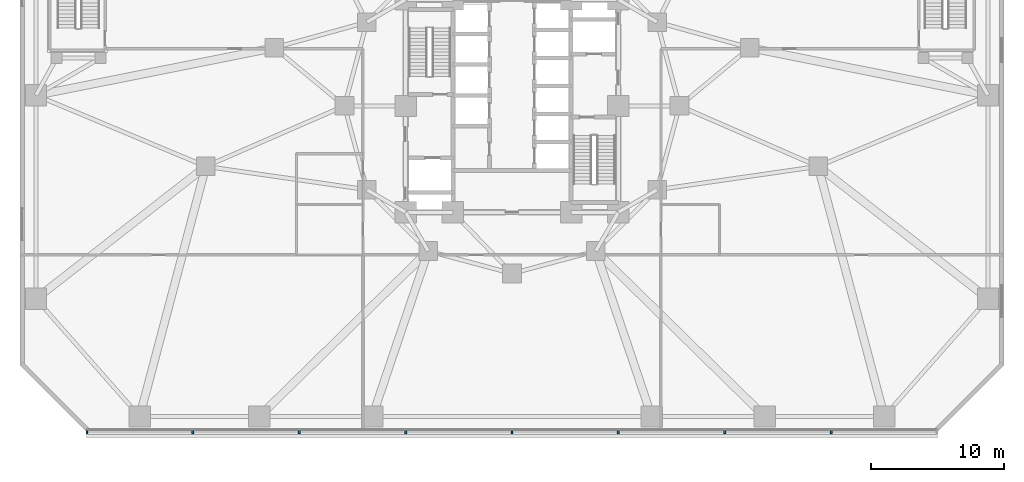
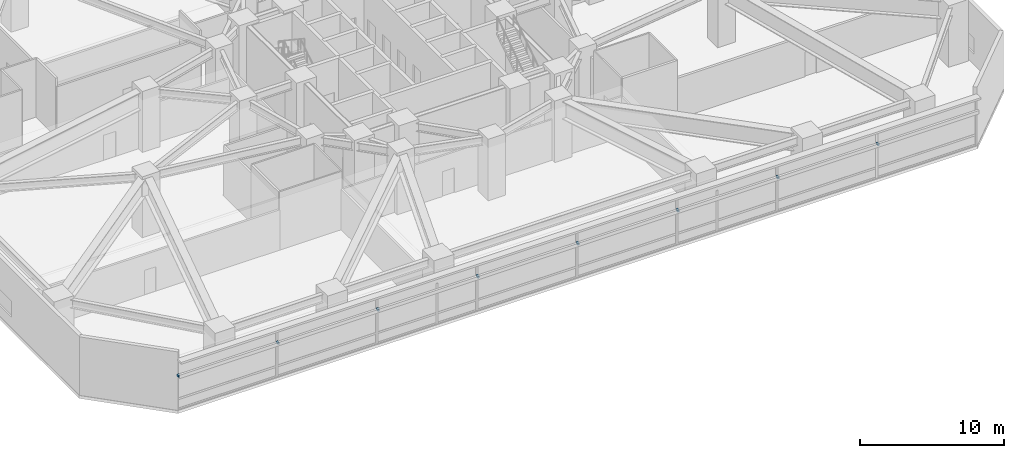
# One storey, part 19 of 27: 8 discrete accessories.
"""IFC4 building model written with IfcOpenShell, lengths in metres."""

from ifc_helpers import new_model, si_unit, direction, frame, origin, origin_2d, place, context, subcontext, project, spatial, rectangle, extrude, material, type_object, element, save


model = new_model("IFC4")

# Units and contexts
model_context = context("Model", 3, precision=1e-05, world=origin(), true_north=direction((0.0, 1.0)))
body_context = subcontext(model_context, "Body", "Model", "MODEL_VIEW")
ifc_project = project(units=[si_unit("LENGTHUNIT", "METRE"), si_unit("AREAUNIT", "SQUARE_METRE"), si_unit("VOLUMEUNIT", "CUBIC_METRE"), si_unit("PLANEANGLEUNIT", "RADIAN"), si_unit("MASSUNIT", "GRAM", prefix="KILO")], contexts=[model_context])

# Site, building, storey
site_placement = place(None, origin())
site = spatial("IfcSite", under=ifc_project, at=site_placement, CompositionType="ELEMENT")
building_placement = place(site_placement, origin())
building = spatial("IfcBuilding", under=site, at=building_placement, Name="Terralouvre Media Tower", CompositionType="ELEMENT")
storey_placement = place(building_placement, frame((0.0, 0.0, 5.199951171875)))
storey = spatial("IfcBuildingStorey", under=building, at=storey_placement, Name="L01", CompositionType="ELEMENT", Elevation=5.199951171875)

# Discrete accessories
ifc_material = material(Name="Anodised extruded aluminium 6063-T6", Category="aluminium")
discrete_accessory_type = type_object("IfcDiscreteAccessoryType", Name="Mullion Stand-Off Baguette Fixing Bracket BK-01", PredefinedType="BRACKET", material=ifc_material)
for number, where, z_axis, x_axis, name in (
    (1, (-31.96240234375, -24.52001953125, 2.87451171875), (0.0, 0.0, 1.0), (1.0, 0.0, 0.0), "CW-L01-F0 Baguette Outrigger Bracket 1.01"),
    (2, (-24.0, -24.52001953125, 2.87451171875), (0.0, 0.0, 1.0), (1.0, 0.0, 0.0), "CW-L01-F0 Baguette Outrigger Bracket 1.02"),
    (3, (-16.0, -24.52001953125, 2.87451171875), (0.0, 0.0, 1.0), (1.0, 0.0, 0.0), "CW-L01-F0 Baguette Outrigger Bracket 1.03"),
    (4, (-8.0, -24.52001953125, 2.87451171875), (0.0, 0.0, 1.0), (1.0, 0.0, 0.0), "CW-L01-F0 Baguette Outrigger Bracket 1.04"),
    (5, (0.0, -24.52001953125, 2.87451171875), (0.0, 0.0, 1.0), (1.0, 0.0, 0.0), "CW-L01-F0 Baguette Outrigger Bracket 1.05"),
    (6, (8.0, -24.52001953125, 2.87451171875), (0.0, 0.0, 1.0), (1.0, 0.0, 0.0), "CW-L01-F0 Baguette Outrigger Bracket 1.06"),
    (7, (16.0, -24.52001953125, 2.87451171875), (0.0, 0.0, 1.0), (1.0, 0.0, 0.0), "CW-L01-F0 Baguette Outrigger Bracket 1.07"),
    (8, (24.0, -24.52001953125, 2.87451171875), (0.0, 0.0, 1.0), (1.0, 0.0, 0.0), "CW-L01-F0 Baguette Outrigger Bracket 1.08"),
):
    element("IfcDiscreteAccessory", number, at=place(storey_placement, frame(where, z_axis=z_axis, x_axis=x_axis)), inside=storey, type_object=discrete_accessory_type, Name=name, PredefinedType="BRACKET", context=body_context, shape_type="SweptSolid", body=[
        extrude(rectangle(XDim=0.139892578125, YDim=0.239990234375, at=origin_2d()), origin(), (0.0, 0.0, 1.0), 0.179931640625),
    ])

save(model, "model.ifc")
